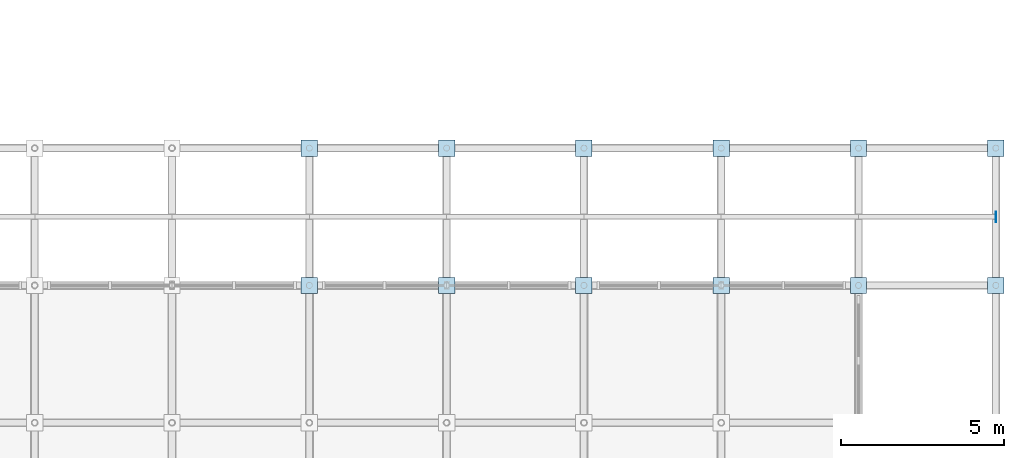
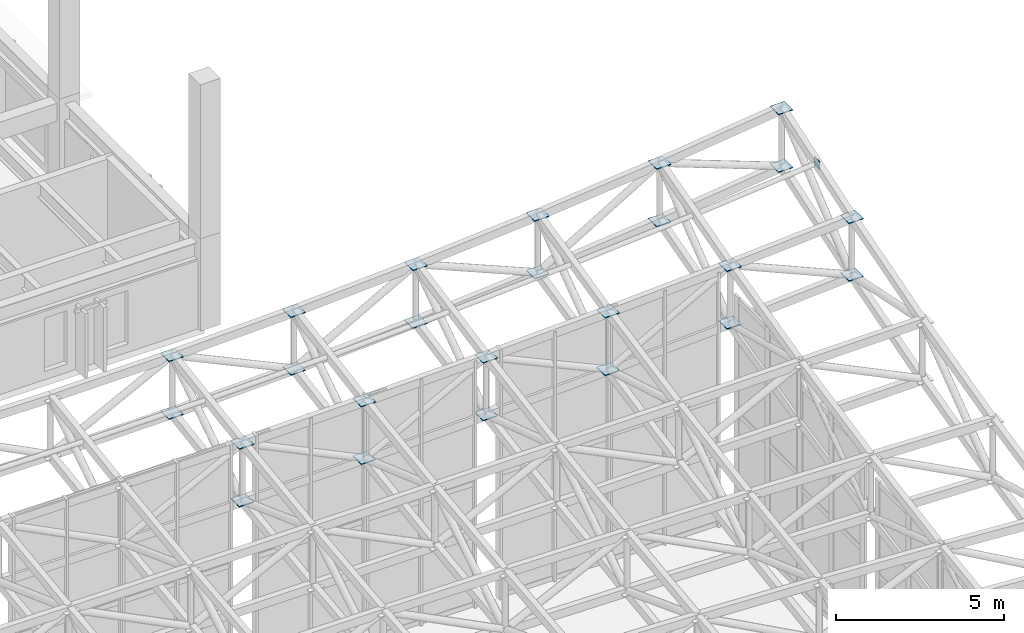
# One storey, part 80 of 123: 25 plates.
"""IFC4 building model written with IfcOpenShell, lengths in metres."""

from ifc_helpers import new_model, si_unit, direction, frame, origin, origin_2d, place, context, subcontext, project, spatial, rectangle, extrude, material, layer, layer_set, type_object, element, save


model = new_model("IFC4")

# Units and contexts
model_context = context("Model", 3, precision=1e-05, world=origin(), true_north=direction((0.0, 1.0)))
body_context = subcontext(model_context, "Body", "Model", "MODEL_VIEW")
ifc_project = project(units=[si_unit("LENGTHUNIT", "METRE"), si_unit("AREAUNIT", "SQUARE_METRE"), si_unit("VOLUMEUNIT", "CUBIC_METRE"), si_unit("PLANEANGLEUNIT", "RADIAN"), si_unit("MASSUNIT", "GRAM", prefix="KILO")], contexts=[model_context])

# Site, building, storey
site_placement = place(None, origin())
site = spatial("IfcSite", under=ifc_project, at=site_placement, CompositionType="ELEMENT")
building_placement = place(site_placement, origin())
building = spatial("IfcBuilding", under=site, at=building_placement, Name="Cumbredor Promenade Congress Hotel", CompositionType="ELEMENT")
storey_placement = place(building_placement, frame((0.0, 0.0, 11.760009765625)))
storey = spatial("IfcBuildingStorey", under=building, at=storey_placement, Name="L03", CompositionType="ELEMENT", Elevation=11.760009765625)

# Plates
ifc_material = material(Name="Steel ASTM A572 Grade 50", Category="steel")
ifc_layer_1 = layer(ifc_material, 0.02001953125, Name="Steel ASTM A572 Grade 50", Category="steel")
ifc_layer_set_1 = layer_set([ifc_layer_1], Name="Steel ASTM A572 Grade 50")
plate_type_1 = type_object("IfcPlateType", Name="Hollow Section End Cap Plate CP-05", PredefinedType="USERDEFINED", material=ifc_layer_set_1)
plate_placement = place(storey_placement, frame((189.008056640625, 69.300048828125, 10.1298828125), z_axis=(0.0, 0.0, 1.0), x_axis=(1.0, 0.0, 0.0)))
element("IfcPlate", 1, at=plate_placement, inside=storey, type_object=plate_type_1, Name="Grand Ballroom Pavilion Roof Eave Purlin 12.17 End Cap Plate", ObjectType="CAP PLATE", PredefinedType="USERDEFINED", context=body_context, shape_type="SweptSolid", body=[
    extrude(rectangle(XDim=0.02001953125, YDim=0.320068359375, at=origin_2d()), origin(), (0.0, 0.0, 1.0), 0.320068359375),
])
ifc_layer_2 = layer(ifc_material, 0.031982421875, Name="Steel ASTM A572 Grade 50", Category="steel")
ifc_layer_set_2 = layer_set([ifc_layer_2], Name="Steel ASTM A572 Grade 50")
plate_type_2 = type_object("IfcPlateType", Name="Space Frame Node Assembly ND-02", PredefinedType="USERDEFINED", material=ifc_layer_set_2)
for number, where, z_axis, x_axis, name in (
    (2, (168.0, 67.199951171875, 8.71728515625), (0.0, 0.0, 1.0), (1.0, 0.0, 0.0), "Grand Ballroom Pavilion Space Frame Top Node 8.17"),
    (3, (168.0, 67.199951171875, 6.6171875), (0.0, 0.0, 1.0), (1.0, 0.0, 0.0), "Grand Ballroom Pavilion Space Frame Bottom Node 8.17"),
    (4, (168.0, 71.39990234375, 9.3603515625), (0.0, 0.0, 1.0), (1.0, 0.0, 0.0), "Grand Ballroom Pavilion Space Frame Top Node 8.18"),
    (5, (168.0, 71.39990234375, 7.26025390625), (0.0, 0.0, 1.0), (1.0, 0.0, 0.0), "Grand Ballroom Pavilion Space Frame Bottom Node 8.18"),
    (6, (172.199951171875, 67.199951171875, 8.79150390625), (0.0, 0.0, 1.0), (1.0, 0.0, 0.0), "Grand Ballroom Pavilion Space Frame Top Node 9.17"),
    (7, (172.199951171875, 67.199951171875, 6.69140625), (0.0, 0.0, 1.0), (1.0, 0.0, 0.0), "Grand Ballroom Pavilion Space Frame Bottom Node 9.17"),
    (8, (172.199951171875, 71.39990234375, 9.5009765625), (0.0, 0.0, 1.0), (1.0, 0.0, 0.0), "Grand Ballroom Pavilion Space Frame Top Node 9.18"),
    (9, (172.199951171875, 71.39990234375, 7.40087890625), (0.0, 0.0, 1.0), (1.0, 0.0, 0.0), "Grand Ballroom Pavilion Space Frame Bottom Node 9.18"),
    (10, (176.39990234375, 67.199951171875, 8.91455078125), (0.0, 0.0, 1.0), (1.0, 0.0, 0.0), "Grand Ballroom Pavilion Space Frame Top Node 10.17"),
    (11, (176.39990234375, 67.199951171875, 6.81494140625), (0.0, 0.0, 1.0), (1.0, 0.0, 0.0), "Grand Ballroom Pavilion Space Frame Bottom Node 10.17"),
    (12, (176.39990234375, 71.39990234375, 9.7353515625), (0.0, 0.0, 1.0), (1.0, 0.0, 0.0), "Grand Ballroom Pavilion Space Frame Top Node 10.18"),
    (13, (176.39990234375, 71.39990234375, 7.6357421875), (0.0, 0.0, 1.0), (1.0, 0.0, 0.0), "Grand Ballroom Pavilion Space Frame Bottom Node 10.18"),
    (14, (180.60009765625, 67.199951171875, 9.08740234375), (0.0, 0.0, 1.0), (1.0, 0.0, 0.0), "Grand Ballroom Pavilion Space Frame Top Node 11.17"),
    (15, (180.60009765625, 67.199951171875, 6.9873046875), (0.0, 0.0, 1.0), (1.0, 0.0, 0.0), "Grand Ballroom Pavilion Space Frame Bottom Node 11.17"),
    (16, (180.60009765625, 71.39990234375, 10.0634765625), (0.0, 0.0, 1.0), (1.0, 0.0, 0.0), "Grand Ballroom Pavilion Space Frame Top Node 11.18"),
    (17, (180.60009765625, 71.39990234375, 7.9638671875), (0.0, 0.0, 1.0), (1.0, 0.0, 0.0), "Grand Ballroom Pavilion Space Frame Bottom Node 11.18"),
    (18, (184.800048828125, 67.199951171875, 9.30859375), (0.0, 0.0, 1.0), (1.0, 0.0, 0.0), "Grand Ballroom Pavilion Space Frame Top Node 12.17"),
    (19, (184.800048828125, 67.199951171875, 7.20849609375), (0.0, 0.0, 1.0), (1.0, 0.0, 0.0), "Grand Ballroom Pavilion Space Frame Bottom Node 12.17"),
    (20, (184.800048828125, 71.39990234375, 10.4853515625), (0.0, 0.0, 1.0), (1.0, 0.0, 0.0), "Grand Ballroom Pavilion Space Frame Top Node 12.18"),
    (21, (184.800048828125, 71.39990234375, 8.38525390625), (0.0, 0.0, 1.0), (1.0, 0.0, 0.0), "Grand Ballroom Pavilion Space Frame Bottom Node 12.18"),
    (22, (189.0, 67.199951171875, 9.58447265625), (0.0, 0.0, 1.0), (1.0, 0.0, 0.0), "Grand Ballroom Pavilion Space Frame Top Node 13.17"),
    (23, (189.0, 67.199951171875, 7.484375), (0.0, 0.0, 1.0), (1.0, 0.0, 0.0), "Grand Ballroom Pavilion Space Frame Bottom Node 13.17"),
    (24, (189.0, 71.39990234375, 11.00146484375), (0.0, 0.0, 1.0), (1.0, 0.0, 0.0), "Grand Ballroom Pavilion Space Frame Top Node 13.18"),
    (25, (189.0, 71.39990234375, 8.9013671875), (0.0, 0.0, 1.0), (1.0, 0.0, 0.0), "Grand Ballroom Pavilion Space Frame Bottom Node 13.18"),
):
    element("IfcPlate", number, at=place(storey_placement, frame(where, z_axis=z_axis, x_axis=x_axis)), inside=storey, type_object=plate_type_2, Name=name, ObjectType="GUSSET PLATE", PredefinedType="USERDEFINED", context=body_context, shape_type="SweptSolid", body=[
        extrude(rectangle(XDim=0.5, YDim=0.5, at=origin_2d()), origin(), (0.0, 0.0, 1.0), 0.031982421875),
    ])

save(model, "model.ifc")
